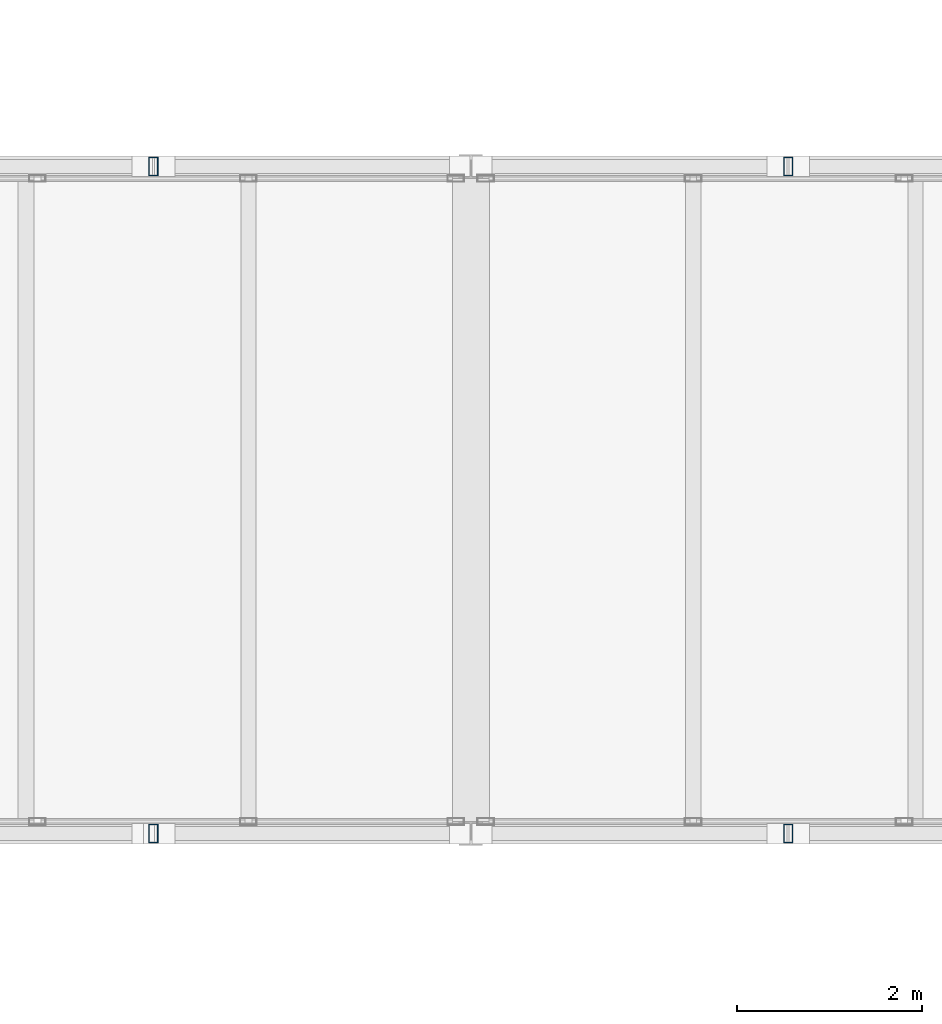
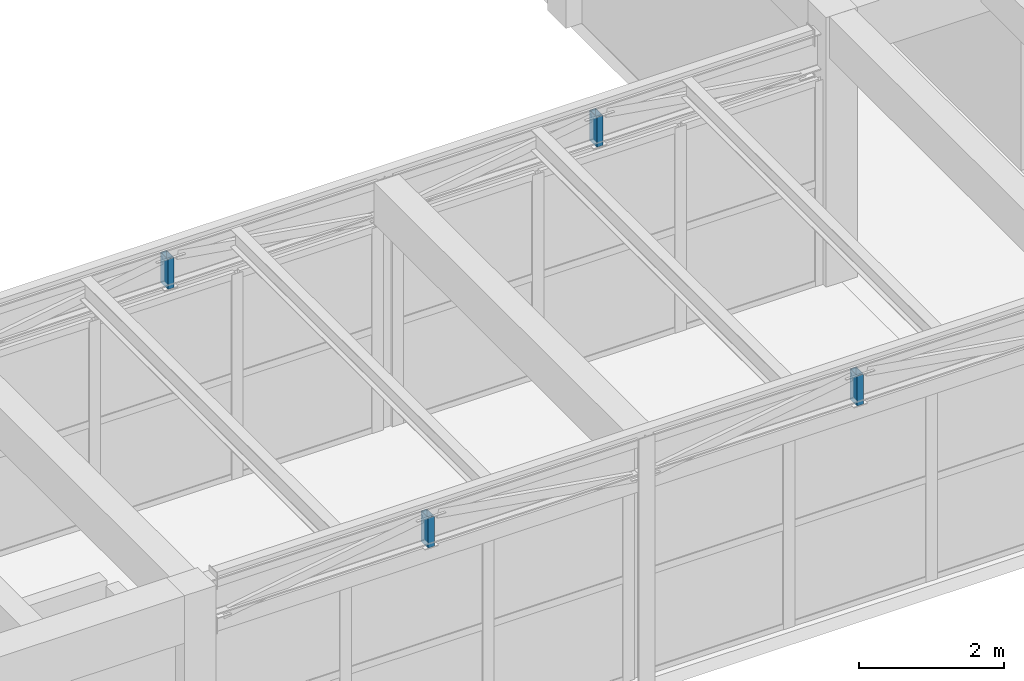
# One storey, part 115 of 153: 4 members.
"""IFC4 building model written with IfcOpenShell, lengths in metres."""

from ifc_helpers import new_model, si_unit, direction, frame, origin, origin_2d, place, context, subcontext, project, spatial, hollow_rectangle, extrude, material, material_profile, profile_set, type_object, element, save


model = new_model("IFC4")

# Units and contexts
model_context = context("Model", 3, precision=1e-05, world=origin(), true_north=direction((0.0, 1.0)))
body_context = subcontext(model_context, "Body", "Model", "MODEL_VIEW")
ifc_project = project(units=[si_unit("LENGTHUNIT", "METRE"), si_unit("AREAUNIT", "SQUARE_METRE"), si_unit("VOLUMEUNIT", "CUBIC_METRE"), si_unit("PLANEANGLEUNIT", "RADIAN"), si_unit("MASSUNIT", "GRAM", prefix="KILO")], contexts=[model_context])

# Site, building, storey
site_placement = place(None, origin())
site = spatial("IfcSite", under=ifc_project, at=site_placement, CompositionType="ELEMENT")
building_placement = place(site_placement, origin())
building = spatial("IfcBuilding", under=site, at=building_placement, Name="Bramvelor Terrace Health Centre", CompositionType="ELEMENT")
storey_placement = place(building_placement, frame((0.0, 0.0, 4.800048828125)))
storey = spatial("IfcBuildingStorey", under=building, at=storey_placement, Name="L02", CompositionType="ELEMENT", Elevation=4.800048828125)

# Members
ifc_material = material(Name="Steel S355J2", Category="steel")
ifc_material_profile = material_profile(ifc_material, hollow_rectangle(XDim=0.10009765625, YDim=0.199951171875, WallThickness=0.00634765625, at=origin_2d()), Name="RHS 200x100x6.3")
ifc_profile_set = profile_set([ifc_material_profile], Name="Steel S355J2")
member_type = type_object("IfcMemberType", Name="MEM-STL-RHS200", PredefinedType="STRUT", material=ifc_profile_set)
for number, where, z_axis, x_axis, name in (
    (1, (32.574951171875, 50.39990234375, 3.52001953125), (0.0, 0.0, 1.0), (1.0, 0.0, 0.0), "BR1 Bridge Truss Vertical Strut 1"),
    (2, (39.425048828125, 50.39990234375, 3.52001953125), (0.0, 0.0, 1.0), (1.0, 0.0, 0.0), "BR1 Bridge Truss Vertical Strut 3"),
    (3, (32.574951171875, 57.60009765625, 3.52001953125), (0.0, 0.0, 1.0), (1.0, 0.0, 0.0), "BR1 Bridge Truss Vertical Strut 1"),
    (4, (39.425048828125, 57.60009765625, 3.52001953125), (0.0, 0.0, 1.0), (1.0, 0.0, 0.0), "BR1 Bridge Truss Vertical Strut 3"),
):
    element("IfcMember", number, at=place(storey_placement, frame(where, z_axis=z_axis, x_axis=x_axis)), inside=storey, type_object=member_type, Name=name, PredefinedType="STRUT", context=body_context, shape_type="SweptSolid", body=[
        extrude(hollow_rectangle(XDim=0.10009765625, YDim=0.199951171875, WallThickness=0.00634765625, at=origin_2d()), origin(), (0.0, 0.0, 1.0), 0.510009765625),
    ])

save(model, "model.ifc")
